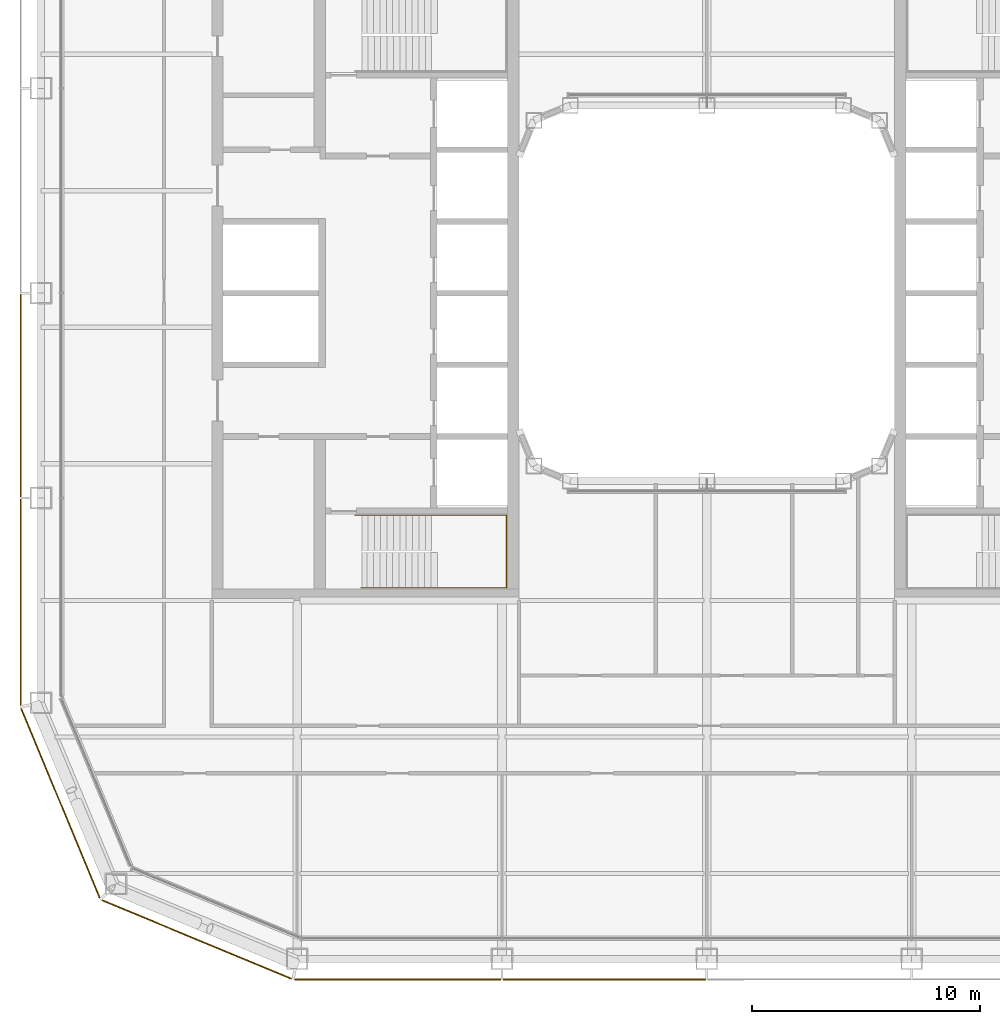
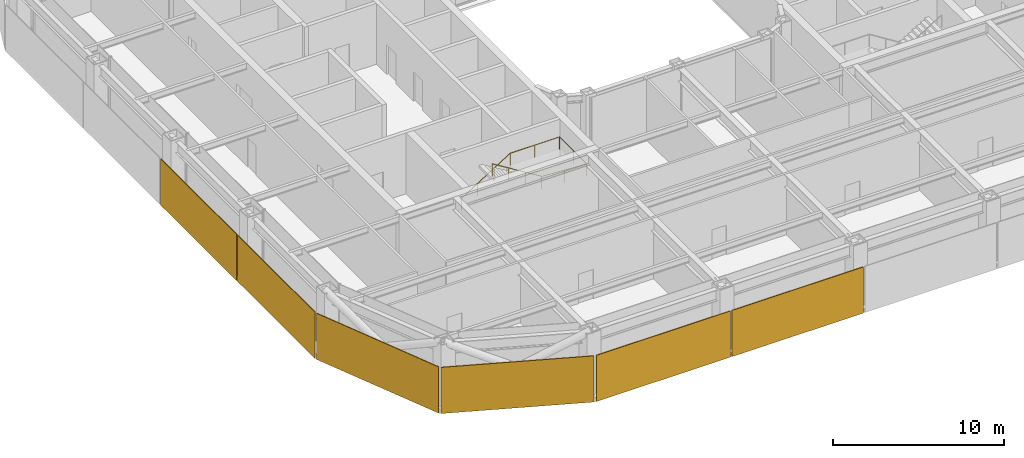
# One storey, part 17 of 21: 6 coverings, 1 railing.
"""IFC4 building model written with IfcOpenShell, lengths in metres."""

import ifcopenshell
import ifcopenshell.guid

model = None  # the IFC model being written
_history = None  # IfcOwnerHistory: only IFC2X3 demands one
_inside = {}  # id of a spatial element -> (the spatial element, [elements in it])
_under = {}  # id of a project, library or spatial element -> (it, [spatial elements below it])
_declared = {}  # id of a project -> (the project, [libraries it declares])
_typed = {}  # id of a type object -> (the type object, [elements of that type])
_made_of = {}  # id of a material, layer set ... -> (it, [elements and type objects made of it])


def new_model(schema):
    """Start an empty IFC model of exactly this schema.

    Asked for "IFC4X3", IfcOpenShell would pick the latest addendum, in which some entities
    have other attributes; the version numbers below select the first issue.
    IFC2X3 requires an IfcOwnerHistory on every rooted entity: one is made here for all.
    """
    global model, _history
    if schema == "IFC4X3":
        model = ifcopenshell.file(schema_version=(4, 3, 0, 0))
    else:
        model = ifcopenshell.file(schema=schema)
    _inside.clear()
    _under.clear()
    _declared.clear()
    _typed.clear()
    _made_of.clear()
    _history = None
    if model.schema == "IFC2X3":
        org = make("IfcOrganization", Name="unknown")
        user = make(
            "IfcPersonAndOrganization",
            ThePerson=make("IfcPerson", FamilyName="unknown"),
            TheOrganization=org,
        )
        app = make(
            "IfcApplication",
            ApplicationDeveloper=org,
            Version="unknown",
            ApplicationFullName="unknown",
            ApplicationIdentifier="unknown",
        )
        _history = make(
            "IfcOwnerHistory",
            OwningUser=user,
            OwningApplication=app,
            ChangeAction="ADDED",
            CreationDate=0,
        )
    return model


def make(cls, **values):
    """One entity of the class cls with the attributes given. An attribute that is None is left unset."""
    return model.create_entity(
        cls, **{name: value for name, value in values.items() if value is not None}
    )


def rooted(cls, **values):
    """An entity with a GlobalId (a new one), such as an element, a storey or a relation."""
    return make(cls, GlobalId=ifcopenshell.guid.new(), OwnerHistory=_history, **values)


def si_unit(unit_type, name, prefix=None):
    """IfcSIUnit, for example si_unit("LENGTHUNIT", "METRE", prefix="MILLI")."""
    return make("IfcSIUnit", UnitType=unit_type, Prefix=prefix, Name=name)


def assignment(units):
    """IfcUnitAssignment: the units of a project."""
    return None if units is None else make("IfcUnitAssignment", Units=units)


def point(xyz):
    """IfcCartesianPoint."""
    return None if xyz is None else make("IfcCartesianPoint", Coordinates=xyz)


def direction(xyz):
    """IfcDirection."""
    return None if xyz is None else make("IfcDirection", DirectionRatios=xyz)


def frame(location, z_axis=None, x_axis=None):
    """IfcAxis2Placement3D, a coordinate frame: its origin and axes. An axis left out is left unset."""
    return make(
        "IfcAxis2Placement3D",
        Location=point(location),
        Axis=direction(z_axis),
        RefDirection=direction(x_axis),
    )


def frame_2d(location, x_axis=None):
    """IfcAxis2Placement2D, a coordinate frame in the plane: its origin and x axis."""
    return make(
        "IfcAxis2Placement2D", Location=point(location), RefDirection=direction(x_axis)
    )


def origin():
    """The frame at (0, 0, 0) with its axes left unset."""
    return frame((0.0, 0.0, 0.0))


def origin_2d():
    """The frame at (0, 0) in the plane with its x axis left unset."""
    return frame_2d((0.0, 0.0))


def place(relative_to, where):
    """IfcLocalPlacement: puts the frame where relative to a parent placement (None: the world)."""
    return make(
        "IfcLocalPlacement", PlacementRelTo=relative_to, RelativePlacement=where
    )


def context(
    kind, dimensions, precision=None, world=None, true_north=None, identifier=None
):
    """IfcGeometricRepresentationContext, for example the 3D "Model" context."""
    return make(
        "IfcGeometricRepresentationContext",
        ContextIdentifier=identifier,
        ContextType=kind,
        CoordinateSpaceDimension=dimensions,
        Precision=precision,
        WorldCoordinateSystem=world,
        TrueNorth=true_north,
    )


def subcontext(parent, identifier, kind, view, scale=None):
    """IfcGeometricRepresentationSubContext, for example "Body" below "Model"."""
    return make(
        "IfcGeometricRepresentationSubContext",
        ContextIdentifier=identifier,
        ContextType=kind,
        ParentContext=parent,
        TargetScale=scale,
        TargetView=view,
    )


def project(units=None, contexts=None):
    """IfcProject with its units and contexts."""
    return rooted(
        "IfcProject",
        Name="project",
        RepresentationContexts=contexts,
        UnitsInContext=assignment(units),
    )


def spatial(cls, under=None, at=None, **own):
    """A site, building, storey or space (cls), placed at a placement, below another one or the project."""
    s = rooted(cls, ObjectPlacement=at, **own)
    if under is not None:
        _under.setdefault(under.id(), (under, []))[1].append(s)
    return s


def profile(cls, at=None, kind="AREA", **sizes):
    """A parametric profile (cls). Its sizes go by their IFC names, for example OverallWidth=200.0."""
    return make(cls, ProfileType=kind, Position=at, **sizes)


def rectangle(**sizes):
    """IfcRectangleProfileDef."""
    return profile("IfcRectangleProfileDef", **sizes)


def circle(**sizes):
    """IfcCircleProfileDef."""
    return profile("IfcCircleProfileDef", **sizes)


def extrude(swept, where, along, depth):
    """IfcExtrudedAreaSolid: the profile swept, set in the frame where, extruded along a direction by depth."""
    return make(
        "IfcExtrudedAreaSolid",
        SweptArea=swept,
        Position=where,
        ExtrudedDirection=direction(along),
        Depth=depth,
    )


def shape(context_of_items, identifier, shape_type, items):
    """IfcShapeRepresentation: the items that make up one representation, for example the "Body"."""
    return make(
        "IfcShapeRepresentation",
        ContextOfItems=context_of_items,
        RepresentationIdentifier=identifier,
        RepresentationType=shape_type,
        Items=items,
    )


def material(Name=None, Category=None):
    """IfcMaterial."""
    return make("IfcMaterial", Name=Name, Category=Category)


def layer(
    of_material, thickness, ventilated=None, Name=None, Category=None, Priority=None
):
    """IfcMaterialLayer: one layer of a wall or slab, of a material (None: an air gap)."""
    return make(
        "IfcMaterialLayer",
        Material=of_material,
        LayerThickness=thickness,
        IsVentilated=ventilated,
        Name=Name,
        Category=Category,
        Priority=Priority,
    )


def layer_set(layers, Name=None):
    """IfcMaterialLayerSet."""
    return make("IfcMaterialLayerSet", MaterialLayers=layers, LayerSetName=Name)


def made_of(thing, what):
    """Note that an element or type object is made of a material, layer set ...; save() writes the relation."""
    if what is not None:
        _made_of.setdefault(what.id(), (what, []))[1].append(thing)
    return thing


def type_object(cls, material=None, **own):
    """A type object (cls), such as IfcWallType, which elements share."""
    return made_of(rooted(cls, **own), material)


def element(
    cls,
    number,
    at=None,
    inside=None,
    cuts=None,
    type_object=None,
    material=None,
    context=None,
    identifier="Body",
    shape_type=None,
    held_by="IfcProductDefinitionShape",
    body=None,
    shapes=None,
    **own,
):
    """One element of the class cls, such as IfcWall. Its Tag is "e" and its number.

    at: its placement. inside: the storey or other place that contains it. cuts: it is an
    opening in that element (IfcRelVoidsElement). A single representation is given by context,
    identifier, shape_type and body (its items); several are given by shapes. held_by: the class
    of the entity that holds the representations. save() writes the other relations.
    """
    e = rooted(cls, Tag="e%d" % number, ObjectPlacement=at, **own)
    if body is not None:
        shapes = [shape(context, identifier, shape_type, body)]
    if shapes is not None:
        e.Representation = make(held_by, Representations=shapes)
    if inside is not None:
        _inside.setdefault(inside.id(), (inside, []))[1].append(e)
    if cuts is not None:
        rooted(
            "IfcRelVoidsElement", RelatingBuildingElement=cuts, RelatedOpeningElement=e
        )
    if type_object is not None:
        _typed.setdefault(type_object.id(), (type_object, []))[1].append(e)
    return made_of(e, material)


def aggregate(whole, parts):
    """IfcRelAggregates: a whole, such as a stair, and the parts it consists of."""
    return rooted("IfcRelAggregates", RelatingObject=whole, RelatedObjects=parts)


def save(model, path):
    """Write the relations noted so far, then the file.

    IfcRelAggregates (storeys below a building ...), IfcRelContainedInSpatialStructure (elements
    in a storey), IfcRelDefinesByType, IfcRelAssociatesMaterial and IfcRelDeclares: one each for
    every whole, place, type object, material and project.
    """
    for whole, parts in _under.values():
        aggregate(whole, parts)
    for where, things in _inside.values():
        rooted(
            "IfcRelContainedInSpatialStructure",
            RelatedElements=things,
            RelatingStructure=where,
        )
    for kind, things in _typed.values():
        rooted("IfcRelDefinesByType", RelatedObjects=things, RelatingType=kind)
    for what, things in _made_of.values():
        rooted("IfcRelAssociatesMaterial", RelatedObjects=things, RelatingMaterial=what)
    for by, libraries in _declared.values():
        rooted("IfcRelDeclares", RelatingContext=by, RelatedDefinitions=libraries)
    model.write(path)


model = new_model("IFC4")

# Units and contexts
model_context = context("Model", 3, precision=1e-05, world=origin(), true_north=direction((0.0, 1.0)))
body_context = subcontext(model_context, "Body", "Model", "MODEL_VIEW")
ifc_project = project(units=[si_unit("LENGTHUNIT", "METRE"), si_unit("AREAUNIT", "SQUARE_METRE"), si_unit("VOLUMEUNIT", "CUBIC_METRE"), si_unit("PLANEANGLEUNIT", "RADIAN"), si_unit("MASSUNIT", "GRAM", prefix="KILO")], contexts=[model_context])

# Site, building, storey
site_placement = place(None, origin())
site = spatial("IfcSite", under=ifc_project, at=site_placement, CompositionType="ELEMENT")
building_placement = place(site_placement, origin())
building = spatial("IfcBuilding", under=site, at=building_placement, Name="Siwar Civic Tower", CompositionType="ELEMENT")
storey_placement = place(building_placement, frame((0.0, 0.0, 140.699951171875)))
storey = spatial("IfcBuildingStorey", under=building, at=storey_placement, Name="L30", CompositionType="ELEMENT", Elevation=140.699951171875)

# Railing
ifc_material_1 = material(Name="Stainless steel", Category="steel")
railing_type = type_object("IfcRailingType", Name="CORE-STAIR-HANDRAIL", PredefinedType="HANDRAIL", material=ifc_material_1)
railing_placement = place(storey_placement, frame((-15.449951171875, -9.758056640625, 0.173095703125)))
element("IfcRailing", 1, at=railing_placement, inside=storey, type_object=railing_type, Name="Stair handrail ST2", PredefinedType="HANDRAIL", context=body_context, shape_type="SweptSolid", body=[
    extrude(circle(Radius=0.02001953125, at=origin_2d()), frame((0.0, 0.0, 0.8798828125), z_axis=(0.847063342986, 0.0, 0.531491950051), x_axis=(0.0, 1.0, 0.0)), (0.0, 0.0, 1.0), 3.90771484375),
    extrude(circle(Radius=0.02001953125, at=origin_2d()), frame((3.31005859375, 0.0, 2.956787109375), z_axis=(1.0, 0.0, 0.0), x_axis=(0.0, 1.0, 0.0)), (0.0, 0.0, 1.0), 3.331787109375),
    extrude(circle(Radius=0.02001953125, at=origin_2d()), frame((6.641845703125, 0.0, 2.956787109375), z_axis=(0.0, -1.0, 0.0), x_axis=(1.0, 0.0, 0.0)), (0.0, 0.0, 1.0), 3.183837890625),
    extrude(circle(Radius=0.02001953125, at=origin_2d()), frame((6.641845703125, -3.183837890625, 2.956787109375), z_axis=(-0.99837434197, 0.0, 0.056997134106), x_axis=(0.0, -1.0, 0.0)), (0.0, 0.0, 1.0), 3.036865234375),
    extrude(circle(Radius=0.02001953125, at=origin_2d()), frame((3.60986328125, -3.183837890625, 3.1298828125), z_axis=(-0.850606129759, 0.0, 0.525803396734), x_axis=(0.0, -1.0, 0.0)), (0.0, 0.0, 1.0), 3.949951171875),
    extrude(circle(Radius=0.02001953125, at=origin_2d()), origin(), (0.0, 0.0, 1.0), 0.85986328125),
    extrude(circle(Radius=0.02001953125, at=origin_2d()), frame((1.103271484375, 0.0, 0.6923828125)), (0.0, 0.0, 1.0), 0.85986328125),
    extrude(circle(Radius=0.02001953125, at=origin_2d()), frame((2.206787109375, 0.0, 1.384521484375)), (0.0, 0.0, 1.0), 0.85986328125),
    extrude(circle(Radius=0.02001953125, at=origin_2d()), frame((3.31005859375, 0.0, 2.076904296875)), (0.0, 0.0, 1.0), 0.85986328125),
    extrude(circle(Radius=0.02001953125, at=origin_2d()), frame((4.97607421875, 0.0, 2.076904296875)), (0.0, 0.0, 1.0), 0.85986328125),
    extrude(circle(Radius=0.02001953125, at=origin_2d()), frame((6.641845703125, 0.0, 2.076904296875)), (0.0, 0.0, 1.0), 0.85986328125),
    extrude(circle(Radius=0.02001953125, at=origin_2d()), frame((6.641845703125, -1.591796875, 2.076904296875)), (0.0, 0.0, 1.0), 0.85986328125),
    extrude(circle(Radius=0.02001953125, at=origin_2d()), frame((6.641845703125, -3.183837890625, 2.076904296875)), (0.0, 0.0, 1.0), 0.85986328125),
    extrude(circle(Radius=0.02001953125, at=origin_2d()), frame((5.1259765625, -3.183837890625, 2.16357421875)), (0.0, 0.0, 1.0), 0.85986328125),
    extrude(circle(Radius=0.02001953125, at=origin_2d()), frame((3.60986328125, -3.183837890625, 2.25)), (0.0, 0.0, 1.0), 0.85986328125),
    extrude(circle(Radius=0.02001953125, at=origin_2d()), frame((2.489990234375, -3.183837890625, 2.9423828125)), (0.0, 0.0, 1.0), 0.85986328125),
    extrude(circle(Radius=0.02001953125, at=origin_2d()), frame((1.369873046875, -3.183837890625, 3.634521484375)), (0.0, 0.0, 1.0), 0.85986328125),
    extrude(circle(Radius=0.02001953125, at=origin_2d()), frame((0.25, -3.183837890625, 4.326904296875)), (0.0, 0.0, 1.0), 0.85986328125),
])

# Coverings
ifc_material_2 = material(Name="Perforated aluminium cassette, pale metal", Category="aluminium")
ifc_layer_1 = layer(ifc_material_2, 0.050048828125)
ifc_layer_set_1 = layer_set([ifc_layer_1], Name="Perforated aluminium cassette, pale metal")
covering_type_1 = type_object("IfcCoveringType", Name="ENV-OUTER SKIN OS-3", PredefinedType="CLADDING", material=ifc_layer_set_1)
covering_1_placement = place(storey_placement, frame((-30.14990234375, -4.5, -0.14990234375), z_axis=(0.0, 0.0, 1.0), x_axis=(0.0, -1.0, 0.0)))
element("IfcCovering", 2, at=covering_1_placement, inside=storey, type_object=covering_type_1, Name="OUTER SKIN OS-3 W 3", PredefinedType="CLADDING", context=body_context, shape_type="SweptSolid", body=[
    extrude(rectangle(XDim=8.89990234375, YDim=0.050048828125, at=origin_2d()), origin(), (0.0, 0.0, 1.0), 3.300048828125),
])
covering_2_placement = place(storey_placement, frame((-30.14990234375, -13.57958984375, -0.14990234375), z_axis=(0.0, 0.0, 1.0), x_axis=(0.0, -1.0, 0.0)))
element("IfcCovering", 3, at=covering_2_placement, inside=storey, type_object=covering_type_1, Name="OUTER SKIN OS-3 W 4", PredefinedType="CLADDING", context=body_context, shape_type="SweptSolid", body=[
    extrude(rectangle(XDim=9.05908203125, YDim=0.050048828125, at=origin_2d()), origin(), (0.0, 0.0, 1.0), 3.300048828125),
])
ifc_material_3 = material(Name="Perforated aluminium cassette, pale metal", Category="aluminium")
ifc_layer_2 = layer(ifc_material_3, 0.054931640625)
ifc_layer_set_2 = layer_set([ifc_layer_2], Name="Perforated aluminium cassette, pale metal")
covering_type_2 = type_object("IfcCoveringType", Name="ENV-OUTER SKIN OS-4", PredefinedType="CLADDING", material=ifc_layer_set_2)
covering_3_placement = place(storey_placement, frame((-13.57958984375, -30.14990234375, -0.14990234375), z_axis=(0.0, 0.0, 1.0), x_axis=(1.0, 0.0, 0.0)))
element("IfcCovering", 4, at=covering_3_placement, inside=storey, type_object=covering_type_2, Name="OUTER SKIN OS-4 S 1", PredefinedType="CLADDING", context=body_context, shape_type="SweptSolid", body=[
    extrude(rectangle(XDim=9.05908203125, YDim=0.054931640625, at=origin_2d()), origin(), (0.0, 0.0, 1.0), 3.300048828125),
])
covering_4_placement = place(storey_placement, frame((-4.5, -30.14990234375, -0.14990234375), z_axis=(0.0, 0.0, 1.0), x_axis=(1.0, 0.0, 0.0)))
element("IfcCovering", 5, at=covering_4_placement, inside=storey, type_object=covering_type_2, Name="OUTER SKIN OS-4 S 2", PredefinedType="CLADDING", context=body_context, shape_type="SweptSolid", body=[
    extrude(rectangle(XDim=8.89990234375, YDim=0.054931640625, at=origin_2d()), origin(), (0.0, 0.0, 1.0), 3.300048828125),
])
for number, where, z_axis, x_axis, name in (
    (6, (-28.39697265625, -22.411376953125, -0.14990234375), (0.0, 0.0, 1.0), (0.382683432365, -0.923879532511, 0.0), "OUTER SKIN OS-4 SW1 1"),
    (7, (-22.411376953125, -28.39697265625, -0.14990234375), (0.0, 0.0, 1.0), (0.923879532511, -0.382683432365, 0.0), "OUTER SKIN OS-4 SW2 1"),
):
    element("IfcCovering", number, at=place(storey_placement, frame(where, z_axis=z_axis, x_axis=x_axis)), inside=storey, type_object=covering_type_2, Name=name, PredefinedType="CLADDING", context=body_context, shape_type="SweptSolid", body=[
        extrude(rectangle(XDim=9.022216796875, YDim=0.054931640625, at=origin_2d()), origin(), (0.0, 0.0, 1.0), 3.300048828125),
    ])

save(model, "model.ifc")
